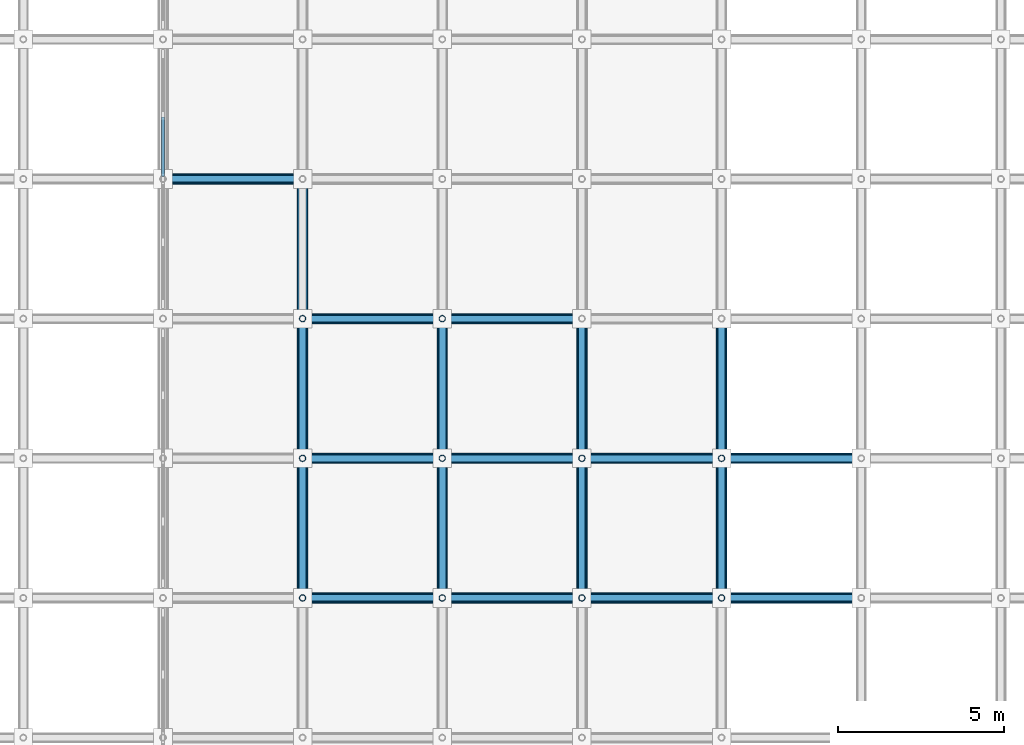
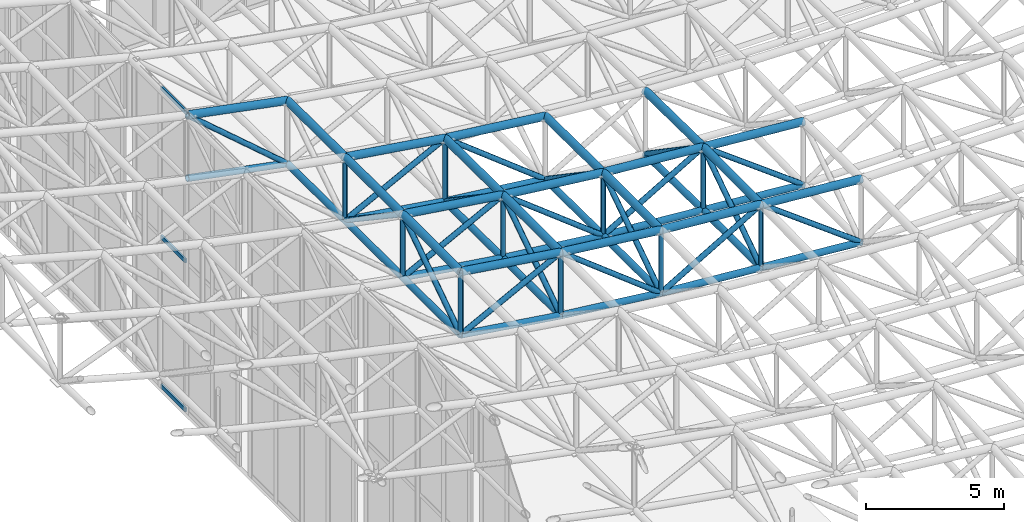
# One storey, part 24 of 93: 72 members, 1 element without a shape of its own.
"""IFC4 building model written with IfcOpenShell, lengths in metres."""

from ifc_helpers import new_model, si_unit, direction, frame, origin, origin_2d, place, context, subcontext, project, spatial, rectangle, hollow_circle, extrude, material, material_profile, profile_set, type_object, element, aggregate, save


model = new_model("IFC4")

# Units and contexts
model_context = context("Model", 3, precision=1e-05, world=origin(), true_north=direction((0.0, 1.0)))
body_context = subcontext(model_context, "Body", "Model", "MODEL_VIEW")
ifc_project = project(units=[si_unit("LENGTHUNIT", "METRE"), si_unit("AREAUNIT", "SQUARE_METRE"), si_unit("VOLUMEUNIT", "CUBIC_METRE"), si_unit("PLANEANGLEUNIT", "RADIAN"), si_unit("MASSUNIT", "GRAM", prefix="KILO")], contexts=[model_context])

# Site, building, storey
site_placement = place(None, origin())
site = spatial("IfcSite", under=ifc_project, at=site_placement, CompositionType="ELEMENT")
building_placement = place(site_placement, origin())
building = spatial("IfcBuilding", under=site, at=building_placement, Name="Cumbredor Promenade Congress Hotel", CompositionType="ELEMENT")
storey_placement = place(building_placement, frame((0.0, 0.0, 21.840087890625)))
storey = spatial("IfcBuildingStorey", under=building, at=storey_placement, Name="L06", CompositionType="ELEMENT", Elevation=21.840087890625)

# Curtain wall, members
ifc_material_1 = material(Name="Thermally broken anodized aluminium and low-E glass", Category="aluminium")
curtain_wall_type = type_object("IfcCurtainWallType", Name="Stepped Pavilion Clerestory Curtain Wall CW-06", PredefinedType="NOTDEFINED", material=ifc_material_1)
curtain_wall_placement = place(storey_placement, origin())
curtain_wall = element("IfcCurtainWall", 1, at=curtain_wall_placement, inside=storey, type_object=curtain_wall_type, Name="Plenary Congress Hall W Glazed Clerestory 10", PredefinedType="NOTDEFINED")
ifc_material_2 = material(Name="Thermally broken anodized aluminium", Category="aluminium")
ifc_material_profile_1 = material_profile(ifc_material_2, rectangle(XDim=0.080078125, YDim=0.179931640625, at=origin_2d()), Name="ALU TRANSOM 80x180")
ifc_profile_set_1 = profile_set([ifc_material_profile_1], Name="Thermally broken anodized aluminium")
member_type_1 = type_object("IfcMemberType", Name="Curtain Wall Transom TR-03", PredefinedType="USERDEFINED", material=ifc_profile_set_1)
member_1_placement = place(storey_placement, frame((8.39990234375, 46.282470703125, 0.079833984375), z_axis=(0.0, 1.0, 0.0), x_axis=(-1.0, 0.0, 0.0)))
member_1 = element("IfcMember", 2, at=member_1_placement, type_object=member_type_1, Name="Plenary Congress Hall W Glazed Clerestory 10 Transom 1.1", ObjectType="TRANSOM", PredefinedType="USERDEFINED", context=body_context, shape_type="SweptSolid", body=[
    extrude(rectangle(XDim=0.080078125, YDim=0.179931640625, at=origin_2d()), origin(), (0.0, 0.0, 1.0), 1.775146484375),
])
member_2_placement = place(storey_placement, frame((8.39990234375, 46.282470703125, 6.68994140625), z_axis=(0.0, 1.0, 0.0), x_axis=(-1.0, 0.0, 0.0)))
member_2 = element("IfcMember", 3, at=member_2_placement, type_object=member_type_1, Name="Plenary Congress Hall W Glazed Clerestory 10 Transom 1.2", ObjectType="TRANSOM", PredefinedType="USERDEFINED", context=body_context, shape_type="SweptSolid", body=[
    extrude(rectangle(XDim=0.080078125, YDim=0.179931640625, at=origin_2d()), origin(), (0.0, 0.0, 1.0), 1.775146484375),
])
member_3_placement = place(storey_placement, frame((8.39990234375, 46.282470703125, 13.289794921875), z_axis=(0.0, 1.0, 0.0), x_axis=(-1.0, 0.0, 0.0)))
member_3 = element("IfcMember", 4, at=member_3_placement, type_object=member_type_1, Name="Plenary Congress Hall W Glazed Clerestory 10 Transom 1.3", ObjectType="TRANSOM", PredefinedType="USERDEFINED", context=body_context, shape_type="SweptSolid", body=[
    extrude(rectangle(XDim=0.080078125, YDim=0.179931640625, at=origin_2d()), origin(), (0.0, 0.0, 1.0), 1.775146484375),
])
aggregate(curtain_wall, [member_1, member_2, member_3])

# Members
ifc_material_3 = material(Name="Steel ASTM A500 Grade C", Category="steel")
ifc_material_profile_2 = material_profile(ifc_material_3, hollow_circle(Radius=0.136474609375, WallThickness=0.01611328125, at=origin_2d()), Name="CHS 273.0x16")
ifc_profile_set_2 = profile_set([ifc_material_profile_2], Name="Steel ASTM A500 Grade C")
member_type_2 = type_object("IfcMemberType", Name="Plenary Roof Space Frame Bottom Chord", PredefinedType="CHORD", material=ifc_profile_set_2)
member_4_placement = place(storey_placement, frame((12.60009765625, 33.60009765625, 9.63134765625), z_axis=(0.989555728314, 0.0, -0.144150825737), x_axis=(0.0, 1.0, 0.0)))
element("IfcMember", 5, at=member_4_placement, inside=storey, type_object=member_type_2, Name="Plenary Congress Hall X Bottom Chord 5.9", PredefinedType="CHORD", context=body_context, shape_type="SweptSolid", body=[
    extrude(hollow_circle(Radius=0.136474609375, WallThickness=0.01611328125, at=origin_2d()), origin(), (0.0, 0.0, 1.0), 4.244384765625),
])
member_5_placement = place(storey_placement, frame((16.800048828125, 33.60009765625, 9.01953125), z_axis=(0.99363687889, 0.0, -0.112631047715), x_axis=(0.0, 1.0, 0.0)))
element("IfcMember", 6, at=member_5_placement, inside=storey, type_object=member_type_2, Name="Plenary Congress Hall X Bottom Chord 6.9", PredefinedType="CHORD", context=body_context, shape_type="SweptSolid", body=[
    extrude(hollow_circle(Radius=0.136474609375, WallThickness=0.01611328125, at=origin_2d()), origin(), (0.0, 0.0, 1.0), 4.226806640625),
])
for number, where, z_axis, x_axis, name in (
    (7, (21.0, 33.60009765625, 8.54345703125), (0.996737619939, 0.0, -0.080710079903), (0.0, 1.0, 0.0), "Plenary Congress Hall X Bottom Chord 7.9"),
    (8, (25.199951171875, 33.60009765625, 8.203369140625), (0.99676088426, 0.0, -0.080422258173), (0.0, 1.0, 0.0), "Plenary Congress Hall X Bottom Chord 8.9"),
):
    element("IfcMember", number, at=place(storey_placement, frame(where, z_axis=z_axis, x_axis=x_axis)), inside=storey, type_object=member_type_2, Name=name, PredefinedType="CHORD", context=body_context, shape_type="SweptSolid", body=[
        extrude(hollow_circle(Radius=0.136474609375, WallThickness=0.01611328125, at=origin_2d()), origin(), (0.0, 0.0, 1.0), 4.213623046875),
    ])
member_6_placement = place(storey_placement, frame((12.60009765625, 37.800048828125, 9.63134765625), z_axis=(0.989555728314, 0.0, -0.144150825737), x_axis=(0.0, 1.0, 0.0)))
element("IfcMember", 9, at=member_6_placement, inside=storey, type_object=member_type_2, Name="Plenary Congress Hall X Bottom Chord 5.10", PredefinedType="CHORD", context=body_context, shape_type="SweptSolid", body=[
    extrude(hollow_circle(Radius=0.136474609375, WallThickness=0.01611328125, at=origin_2d()), origin(), (0.0, 0.0, 1.0), 4.244384765625),
])
member_7_placement = place(storey_placement, frame((16.800048828125, 37.800048828125, 9.01953125), z_axis=(0.99363687889, 0.0, -0.112631047715), x_axis=(0.0, 1.0, 0.0)))
element("IfcMember", 10, at=member_7_placement, inside=storey, type_object=member_type_2, Name="Plenary Congress Hall X Bottom Chord 6.10", PredefinedType="CHORD", context=body_context, shape_type="SweptSolid", body=[
    extrude(hollow_circle(Radius=0.136474609375, WallThickness=0.01611328125, at=origin_2d()), origin(), (0.0, 0.0, 1.0), 4.226806640625),
])
for number, where, z_axis, x_axis, name in (
    (11, (21.0, 37.800048828125, 8.54345703125), (0.996737619939, 0.0, -0.080710079903), (0.0, 1.0, 0.0), "Plenary Congress Hall X Bottom Chord 7.10"),
    (12, (25.199951171875, 37.800048828125, 8.203369140625), (0.99676088426, 0.0, -0.080422258173), (0.0, 1.0, 0.0), "Plenary Congress Hall X Bottom Chord 8.10"),
):
    element("IfcMember", number, at=place(storey_placement, frame(where, z_axis=z_axis, x_axis=x_axis)), inside=storey, type_object=member_type_2, Name=name, PredefinedType="CHORD", context=body_context, shape_type="SweptSolid", body=[
        extrude(hollow_circle(Radius=0.136474609375, WallThickness=0.01611328125, at=origin_2d()), origin(), (0.0, 0.0, 1.0), 4.213623046875),
    ])
member_8_placement = place(storey_placement, frame((12.60009765625, 42.0, 9.61669921875), z_axis=(0.988906395797, 0.0, -0.148540029457), x_axis=(0.0, 1.0, 0.0)))
element("IfcMember", 13, at=member_8_placement, inside=storey, type_object=member_type_2, Name="Plenary Congress Hall X Bottom Chord 5.11", PredefinedType="CHORD", context=body_context, shape_type="SweptSolid", body=[
    extrude(hollow_circle(Radius=0.136474609375, WallThickness=0.01611328125, at=origin_2d()), origin(), (0.0, 0.0, 1.0), 4.2470703125),
])
member_9_placement = place(storey_placement, frame((16.800048828125, 42.0, 8.98583984375), z_axis=(0.99325660269, 0.0, -0.115936712097), x_axis=(0.0, 1.0, 0.0)))
element("IfcMember", 14, at=member_9_placement, inside=storey, type_object=member_type_2, Name="Plenary Congress Hall X Bottom Chord 6.11", PredefinedType="CHORD", context=body_context, shape_type="SweptSolid", body=[
    extrude(hollow_circle(Radius=0.136474609375, WallThickness=0.01611328125, at=origin_2d()), origin(), (0.0, 0.0, 1.0), 4.228515625),
])
member_10_placement = place(storey_placement, frame((8.39990234375, 46.199951171875, 10.40380859375), z_axis=(0.981628453473, 0.0, -0.190802461545), x_axis=(0.0, 1.0, 0.0)))
element("IfcMember", 15, at=member_10_placement, inside=storey, type_object=member_type_2, Name="Plenary Congress Hall X Bottom Chord 4.12", PredefinedType="CHORD", context=body_context, shape_type="SweptSolid", body=[
    extrude(hollow_circle(Radius=0.136474609375, WallThickness=0.01611328125, at=origin_2d()), origin(), (0.0, 0.0, 1.0), 4.27880859375),
])
for number, where, z_axis, x_axis, name in (
    (16, (12.60009765625, 33.60009765625, 9.63134765625), (0.0, 1.0, 0.0), (-1.0, 0.0, 0.0), "Plenary Congress Hall Y Bottom Chord 5.9"),
    (17, (12.60009765625, 37.800048828125, 9.63134765625), (0.0, 0.999993917807, -0.003487742549), (-1.0, 0.0, 0.0), "Plenary Congress Hall Y Bottom Chord 5.10"),
    (18, (12.60009765625, 42.0, 9.61669921875), (0.0, 0.999975671896, -0.006975357823), (-1.0, 0.0, 0.0), "Plenary Congress Hall Y Bottom Chord 5.11"),
    (19, (16.800048828125, 33.60009765625, 9.01953125), (0.0, 1.0, 0.0), (-1.0, 0.0, 0.0), "Plenary Congress Hall Y Bottom Chord 6.9"),
):
    element("IfcMember", number, at=place(storey_placement, frame(where, z_axis=z_axis, x_axis=x_axis)), inside=storey, type_object=member_type_2, Name=name, PredefinedType="CHORD", context=body_context, shape_type="SweptSolid", body=[
        extrude(hollow_circle(Radius=0.136474609375, WallThickness=0.01611328125, at=origin_2d()), origin(), (0.0, 0.0, 1.0), 4.199951171875),
    ])
member_11_placement = place(storey_placement, frame((16.800048828125, 37.800048828125, 9.01953125), z_axis=(0.0, 0.999967826461, -0.008021598561), x_axis=(-1.0, 0.0, 0.0)))
element("IfcMember", 20, at=member_11_placement, inside=storey, type_object=member_type_2, Name="Plenary Congress Hall Y Bottom Chord 6.10", PredefinedType="CHORD", context=body_context, shape_type="SweptSolid", body=[
    extrude(hollow_circle(Radius=0.136474609375, WallThickness=0.01611328125, at=origin_2d()), origin(), (0.0, 0.0, 1.0), 4.2001953125),
])
member_12_placement = place(storey_placement, frame((21.0, 33.60009765625, 8.54345703125), z_axis=(0.0, 1.0, 0.0), x_axis=(-1.0, 0.0, 0.0)))
element("IfcMember", 21, at=member_12_placement, inside=storey, type_object=member_type_2, Name="Plenary Congress Hall Y Bottom Chord 7.9", PredefinedType="CHORD", context=body_context, shape_type="SweptSolid", body=[
    extrude(hollow_circle(Radius=0.136474609375, WallThickness=0.01611328125, at=origin_2d()), origin(), (0.0, 0.0, 1.0), 4.199951171875),
])
member_13_placement = place(storey_placement, frame((21.0, 37.800048828125, 8.54345703125), z_axis=(0.0, 0.999935101974, -0.011392622216), x_axis=(-1.0, 0.0, 0.0)))
element("IfcMember", 22, at=member_13_placement, inside=storey, type_object=member_type_2, Name="Plenary Congress Hall Y Bottom Chord 7.10", PredefinedType="CHORD", context=body_context, shape_type="SweptSolid", body=[
    extrude(hollow_circle(Radius=0.136474609375, WallThickness=0.01611328125, at=origin_2d()), origin(), (0.0, 0.0, 1.0), 4.2001953125),
])
member_14_placement = place(storey_placement, frame((25.199951171875, 33.60009765625, 8.203369140625), z_axis=(0.0, 1.0, 0.0), x_axis=(-1.0, 0.0, 0.0)))
element("IfcMember", 23, at=member_14_placement, inside=storey, type_object=member_type_2, Name="Plenary Congress Hall Y Bottom Chord 8.9", PredefinedType="CHORD", context=body_context, shape_type="SweptSolid", body=[
    extrude(hollow_circle(Radius=0.136474609375, WallThickness=0.01611328125, at=origin_2d()), origin(), (0.0, 0.0, 1.0), 4.199951171875),
])
member_15_placement = place(storey_placement, frame((25.199951171875, 37.800048828125, 8.203369140625), z_axis=(0.0, 0.999903507276, -0.013891585086), x_axis=(-1.0, 0.0, 0.0)))
element("IfcMember", 24, at=member_15_placement, inside=storey, type_object=member_type_2, Name="Plenary Congress Hall Y Bottom Chord 8.10", PredefinedType="CHORD", context=body_context, shape_type="SweptSolid", body=[
    extrude(hollow_circle(Radius=0.136474609375, WallThickness=0.01611328125, at=origin_2d()), origin(), (0.0, 0.0, 1.0), 4.200439453125),
])
ifc_material_profile_3 = material_profile(ifc_material_3, hollow_circle(Radius=0.161865234375, WallThickness=0.01611328125, at=origin_2d()), Name="CHS 323.9x16")
ifc_profile_set_3 = profile_set([ifc_material_profile_3], Name="Steel ASTM A500 Grade C")
member_type_3 = type_object("IfcMemberType", Name="Plenary Roof Space Frame Top Chord", PredefinedType="CHORD", material=ifc_profile_set_3)
member_16_placement = place(storey_placement, frame((12.60009765625, 33.60009765625, 12.431396484375), z_axis=(0.989555728314, 0.0, -0.144150825737), x_axis=(0.0, 1.0, 0.0)))
element("IfcMember", 25, at=member_16_placement, inside=storey, type_object=member_type_3, Name="Plenary Congress Hall X Top Chord 5.9", PredefinedType="CHORD", context=body_context, shape_type="SweptSolid", body=[
    extrude(hollow_circle(Radius=0.161865234375, WallThickness=0.01611328125, at=origin_2d()), origin(), (0.0, 0.0, 1.0), 4.244384765625),
])
member_17_placement = place(storey_placement, frame((16.800048828125, 33.60009765625, 11.819580078125), z_axis=(0.99363687889, 0.0, -0.112631047715), x_axis=(0.0, 1.0, 0.0)))
element("IfcMember", 26, at=member_17_placement, inside=storey, type_object=member_type_3, Name="Plenary Congress Hall X Top Chord 6.9", PredefinedType="CHORD", context=body_context, shape_type="SweptSolid", body=[
    extrude(hollow_circle(Radius=0.161865234375, WallThickness=0.01611328125, at=origin_2d()), origin(), (0.0, 0.0, 1.0), 4.226806640625),
])
for number, where, z_axis, x_axis, name in (
    (27, (21.0, 33.60009765625, 11.343505859375), (0.996737619939, 0.0, -0.080710079903), (0.0, 1.0, 0.0), "Plenary Congress Hall X Top Chord 7.9"),
    (28, (25.199951171875, 33.60009765625, 11.00341796875), (0.99676088426, 0.0, -0.080422258173), (0.0, 1.0, 0.0), "Plenary Congress Hall X Top Chord 8.9"),
):
    element("IfcMember", number, at=place(storey_placement, frame(where, z_axis=z_axis, x_axis=x_axis)), inside=storey, type_object=member_type_3, Name=name, PredefinedType="CHORD", context=body_context, shape_type="SweptSolid", body=[
        extrude(hollow_circle(Radius=0.161865234375, WallThickness=0.01611328125, at=origin_2d()), origin(), (0.0, 0.0, 1.0), 4.213623046875),
    ])
member_18_placement = place(storey_placement, frame((12.60009765625, 37.800048828125, 12.431396484375), z_axis=(0.989555728314, 0.0, -0.144150825737), x_axis=(0.0, 1.0, 0.0)))
element("IfcMember", 29, at=member_18_placement, inside=storey, type_object=member_type_3, Name="Plenary Congress Hall X Top Chord 5.10", PredefinedType="CHORD", context=body_context, shape_type="SweptSolid", body=[
    extrude(hollow_circle(Radius=0.161865234375, WallThickness=0.01611328125, at=origin_2d()), origin(), (0.0, 0.0, 1.0), 4.244384765625),
])
member_19_placement = place(storey_placement, frame((16.800048828125, 37.800048828125, 11.819580078125), z_axis=(0.99363687889, 0.0, -0.112631047715), x_axis=(0.0, 1.0, 0.0)))
element("IfcMember", 30, at=member_19_placement, inside=storey, type_object=member_type_3, Name="Plenary Congress Hall X Top Chord 6.10", PredefinedType="CHORD", context=body_context, shape_type="SweptSolid", body=[
    extrude(hollow_circle(Radius=0.161865234375, WallThickness=0.01611328125, at=origin_2d()), origin(), (0.0, 0.0, 1.0), 4.226806640625),
])
for number, where, z_axis, x_axis, name in (
    (31, (21.0, 37.800048828125, 11.343505859375), (0.996737619939, 0.0, -0.080710079903), (0.0, 1.0, 0.0), "Plenary Congress Hall X Top Chord 7.10"),
    (32, (25.199951171875, 37.800048828125, 11.00341796875), (0.99676088426, 0.0, -0.080422258173), (0.0, 1.0, 0.0), "Plenary Congress Hall X Top Chord 8.10"),
):
    element("IfcMember", number, at=place(storey_placement, frame(where, z_axis=z_axis, x_axis=x_axis)), inside=storey, type_object=member_type_3, Name=name, PredefinedType="CHORD", context=body_context, shape_type="SweptSolid", body=[
        extrude(hollow_circle(Radius=0.161865234375, WallThickness=0.01611328125, at=origin_2d()), origin(), (0.0, 0.0, 1.0), 4.213623046875),
    ])
member_20_placement = place(storey_placement, frame((12.60009765625, 42.0, 12.41650390625), z_axis=(0.9889148383, 0.0, -0.148483812552), x_axis=(0.0, 1.0, 0.0)))
element("IfcMember", 33, at=member_20_placement, inside=storey, type_object=member_type_3, Name="Plenary Congress Hall X Top Chord 5.11", PredefinedType="CHORD", context=body_context, shape_type="SweptSolid", body=[
    extrude(hollow_circle(Radius=0.161865234375, WallThickness=0.01611328125, at=origin_2d()), origin(), (0.0, 0.0, 1.0), 4.2470703125),
])
member_21_placement = place(storey_placement, frame((16.800048828125, 42.0, 11.785888671875), z_axis=(0.993249952356, 0.0, -0.115993672864), x_axis=(0.0, 1.0, 0.0)))
element("IfcMember", 34, at=member_21_placement, inside=storey, type_object=member_type_3, Name="Plenary Congress Hall X Top Chord 6.11", PredefinedType="CHORD", context=body_context, shape_type="SweptSolid", body=[
    extrude(hollow_circle(Radius=0.161865234375, WallThickness=0.01611328125, at=origin_2d()), origin(), (0.0, 0.0, 1.0), 4.228515625),
])
member_22_placement = place(storey_placement, frame((8.39990234375, 46.199951171875, 13.20361328125), z_axis=(0.981628453473, 0.0, -0.190802461545), x_axis=(0.0, 1.0, 0.0)))
element("IfcMember", 35, at=member_22_placement, inside=storey, type_object=member_type_3, Name="Plenary Congress Hall X Top Chord 4.12", PredefinedType="CHORD", context=body_context, shape_type="SweptSolid", body=[
    extrude(hollow_circle(Radius=0.161865234375, WallThickness=0.01611328125, at=origin_2d()), origin(), (0.0, 0.0, 1.0), 4.27880859375),
])
for number, where, z_axis, x_axis, name in (
    (36, (12.60009765625, 33.60009765625, 12.431396484375), (0.0, 1.0, 0.0), (-1.0, 0.0, 0.0), "Plenary Congress Hall Y Top Chord 5.9"),
    (37, (12.60009765625, 37.800048828125, 12.431396484375), (0.0, 0.99999371338, -0.003545870866), (-1.0, 0.0, 0.0), "Plenary Congress Hall Y Top Chord 5.10"),
    (38, (12.60009765625, 42.0, 12.41650390625), (0.0, 0.999975671896, -0.006975357823), (-1.0, 0.0, 0.0), "Plenary Congress Hall Y Top Chord 5.11"),
    (39, (16.800048828125, 33.60009765625, 11.819580078125), (0.0, 1.0, 0.0), (-1.0, 0.0, 0.0), "Plenary Congress Hall Y Top Chord 6.9"),
):
    element("IfcMember", number, at=place(storey_placement, frame(where, z_axis=z_axis, x_axis=x_axis)), inside=storey, type_object=member_type_3, Name=name, PredefinedType="CHORD", context=body_context, shape_type="SweptSolid", body=[
        extrude(hollow_circle(Radius=0.161865234375, WallThickness=0.01611328125, at=origin_2d()), origin(), (0.0, 0.0, 1.0), 4.199951171875),
    ])
member_23_placement = place(storey_placement, frame((16.800048828125, 37.800048828125, 11.819580078125), z_axis=(0.0, 0.999967826461, -0.008021598561), x_axis=(-1.0, 0.0, 0.0)))
element("IfcMember", 40, at=member_23_placement, inside=storey, type_object=member_type_3, Name="Plenary Congress Hall Y Top Chord 6.10", PredefinedType="CHORD", context=body_context, shape_type="SweptSolid", body=[
    extrude(hollow_circle(Radius=0.161865234375, WallThickness=0.01611328125, at=origin_2d()), origin(), (0.0, 0.0, 1.0), 4.2001953125),
])
member_24_placement = place(storey_placement, frame((21.0, 33.60009765625, 11.343505859375), z_axis=(0.0, 1.0, 0.0), x_axis=(-1.0, 0.0, 0.0)))
element("IfcMember", 41, at=member_24_placement, inside=storey, type_object=member_type_3, Name="Plenary Congress Hall Y Top Chord 7.9", PredefinedType="CHORD", context=body_context, shape_type="SweptSolid", body=[
    extrude(hollow_circle(Radius=0.161865234375, WallThickness=0.01611328125, at=origin_2d()), origin(), (0.0, 0.0, 1.0), 4.199951171875),
])
member_25_placement = place(storey_placement, frame((21.0, 37.800048828125, 11.343505859375), z_axis=(0.0, 0.999934438125, -0.011450740238), x_axis=(-1.0, 0.0, 0.0)))
element("IfcMember", 42, at=member_25_placement, inside=storey, type_object=member_type_3, Name="Plenary Congress Hall Y Top Chord 7.10", PredefinedType="CHORD", context=body_context, shape_type="SweptSolid", body=[
    extrude(hollow_circle(Radius=0.161865234375, WallThickness=0.01611328125, at=origin_2d()), origin(), (0.0, 0.0, 1.0), 4.2001953125),
])
member_26_placement = place(storey_placement, frame((25.199951171875, 33.60009765625, 11.00341796875), z_axis=(0.0, 1.0, 0.0), x_axis=(-1.0, 0.0, 0.0)))
element("IfcMember", 43, at=member_26_placement, inside=storey, type_object=member_type_3, Name="Plenary Congress Hall Y Top Chord 8.9", PredefinedType="CHORD", context=body_context, shape_type="SweptSolid", body=[
    extrude(hollow_circle(Radius=0.161865234375, WallThickness=0.01611328125, at=origin_2d()), origin(), (0.0, 0.0, 1.0), 4.199951171875),
])
member_27_placement = place(storey_placement, frame((25.199951171875, 37.800048828125, 11.00341796875), z_axis=(0.0, 0.999903507276, -0.013891585086), x_axis=(-1.0, 0.0, 0.0)))
element("IfcMember", 44, at=member_27_placement, inside=storey, type_object=member_type_3, Name="Plenary Congress Hall Y Top Chord 8.10", PredefinedType="CHORD", context=body_context, shape_type="SweptSolid", body=[
    extrude(hollow_circle(Radius=0.161865234375, WallThickness=0.01611328125, at=origin_2d()), origin(), (0.0, 0.0, 1.0), 4.200439453125),
])
ifc_material_profile_4 = material_profile(ifc_material_3, hollow_circle(Radius=0.109619140625, WallThickness=0.012451171875, at=origin_2d()), Name="CHS 219.1x12.5")
ifc_profile_set_4 = profile_set([ifc_material_profile_4], Name="Steel ASTM A500 Grade C")
member_type_4 = type_object("IfcMemberType", Name="Space Frame Web Diagonal D1", PredefinedType="BRACE", material=ifc_profile_set_4)
member_28_placement = place(storey_placement, frame((12.60009765625, 33.60009765625, 9.63134765625), z_axis=(0.886848513239, 0.0, 0.462060293214), x_axis=(0.0, 1.0, 0.0)))
element("IfcMember", 45, at=member_28_placement, inside=storey, type_object=member_type_4, Name="Plenary Congress Hall X Web Diagonal 5.9", PredefinedType="BRACE", context=body_context, shape_type="SweptSolid", body=[
    extrude(hollow_circle(Radius=0.109619140625, WallThickness=0.012451171875, at=origin_2d()), origin(), (0.0, 0.0, 1.0), 4.73583984375),
])
member_29_placement = place(storey_placement, frame((16.800048828125, 33.60009765625, 11.819580078125), z_axis=(0.788487635623, 0.0, -0.61505060643), x_axis=(0.0, 1.0, 0.0)))
element("IfcMember", 46, at=member_29_placement, inside=storey, type_object=member_type_4, Name="Plenary Congress Hall X Web Diagonal 6.9", PredefinedType="BRACE", context=body_context, shape_type="SweptSolid", body=[
    extrude(hollow_circle(Radius=0.109619140625, WallThickness=0.012451171875, at=origin_2d()), origin(), (0.0, 0.0, 1.0), 5.32666015625),
])
member_30_placement = place(storey_placement, frame((21.0, 33.60009765625, 8.54345703125), z_axis=(0.862884298587, 0.0, 0.505401510932), x_axis=(0.0, 1.0, 0.0)))
element("IfcMember", 47, at=member_30_placement, inside=storey, type_object=member_type_4, Name="Plenary Congress Hall X Web Diagonal 7.9", PredefinedType="BRACE", context=body_context, shape_type="SweptSolid", body=[
    extrude(hollow_circle(Radius=0.109619140625, WallThickness=0.012451171875, at=origin_2d()), origin(), (0.0, 0.0, 1.0), 4.867431640625),
])
member_31_placement = place(storey_placement, frame((25.199951171875, 33.60009765625, 11.00341796875), z_axis=(0.801010195392, 0.0, -0.598650705235), x_axis=(0.0, 1.0, 0.0)))
element("IfcMember", 48, at=member_31_placement, inside=storey, type_object=member_type_4, Name="Plenary Congress Hall X Web Diagonal 8.9", PredefinedType="BRACE", context=body_context, shape_type="SweptSolid", body=[
    extrude(hollow_circle(Radius=0.109619140625, WallThickness=0.012451171875, at=origin_2d()), origin(), (0.0, 0.0, 1.0), 5.243408203125),
])
member_32_placement = place(storey_placement, frame((12.60009765625, 37.800048828125, 9.63134765625), z_axis=(0.886848513239, 0.0, 0.462060293214), x_axis=(0.0, 1.0, 0.0)))
element("IfcMember", 49, at=member_32_placement, inside=storey, type_object=member_type_4, Name="Plenary Congress Hall X Web Diagonal 5.10", PredefinedType="BRACE", context=body_context, shape_type="SweptSolid", body=[
    extrude(hollow_circle(Radius=0.109619140625, WallThickness=0.012451171875, at=origin_2d()), origin(), (0.0, 0.0, 1.0), 4.73583984375),
])
member_33_placement = place(storey_placement, frame((16.800048828125, 37.800048828125, 11.819580078125), z_axis=(0.788487635623, 0.0, -0.61505060643), x_axis=(0.0, 1.0, 0.0)))
element("IfcMember", 50, at=member_33_placement, inside=storey, type_object=member_type_4, Name="Plenary Congress Hall X Web Diagonal 6.10", PredefinedType="BRACE", context=body_context, shape_type="SweptSolid", body=[
    extrude(hollow_circle(Radius=0.109619140625, WallThickness=0.012451171875, at=origin_2d()), origin(), (0.0, 0.0, 1.0), 5.32666015625),
])
member_34_placement = place(storey_placement, frame((21.0, 37.800048828125, 8.54345703125), z_axis=(0.862884298587, 0.0, 0.505401510932), x_axis=(0.0, 1.0, 0.0)))
element("IfcMember", 51, at=member_34_placement, inside=storey, type_object=member_type_4, Name="Plenary Congress Hall X Web Diagonal 7.10", PredefinedType="BRACE", context=body_context, shape_type="SweptSolid", body=[
    extrude(hollow_circle(Radius=0.109619140625, WallThickness=0.012451171875, at=origin_2d()), origin(), (0.0, 0.0, 1.0), 4.867431640625),
])
member_35_placement = place(storey_placement, frame((25.199951171875, 37.800048828125, 11.00341796875), z_axis=(0.801010195392, 0.0, -0.598650705235), x_axis=(0.0, 1.0, 0.0)))
element("IfcMember", 52, at=member_35_placement, inside=storey, type_object=member_type_4, Name="Plenary Congress Hall X Web Diagonal 8.10", PredefinedType="BRACE", context=body_context, shape_type="SweptSolid", body=[
    extrude(hollow_circle(Radius=0.109619140625, WallThickness=0.012451171875, at=origin_2d()), origin(), (0.0, 0.0, 1.0), 5.243408203125),
])
member_36_placement = place(storey_placement, frame((12.60009765625, 42.0, 9.61669921875), z_axis=(0.888493647144, 0.0, 0.458888917914), x_axis=(0.0, 1.0, 0.0)))
element("IfcMember", 53, at=member_36_placement, inside=storey, type_object=member_type_4, Name="Plenary Congress Hall X Web Diagonal 5.11", PredefinedType="BRACE", context=body_context, shape_type="SweptSolid", body=[
    extrude(hollow_circle(Radius=0.109619140625, WallThickness=0.012451171875, at=origin_2d()), origin(), (0.0, 0.0, 1.0), 4.72705078125),
])
member_37_placement = place(storey_placement, frame((16.800048828125, 42.0, 11.785888671875), z_axis=(0.787198804129, 0.0, -0.616699313099), x_axis=(0.0, 1.0, 0.0)))
element("IfcMember", 54, at=member_37_placement, inside=storey, type_object=member_type_4, Name="Plenary Congress Hall X Web Diagonal 6.11", PredefinedType="BRACE", context=body_context, shape_type="SweptSolid", body=[
    extrude(hollow_circle(Radius=0.109619140625, WallThickness=0.012451171875, at=origin_2d()), origin(), (0.0, 0.0, 1.0), 5.335205078125),
])
member_38_placement = place(storey_placement, frame((8.39990234375, 46.199951171875, 13.20361328125), z_axis=(0.757824461384, 0.0, -0.652458493491), x_axis=(0.0, 1.0, 0.0)))
element("IfcMember", 55, at=member_38_placement, inside=storey, type_object=member_type_4, Name="Plenary Congress Hall X Web Diagonal 4.12", PredefinedType="BRACE", context=body_context, shape_type="SweptSolid", body=[
    extrude(hollow_circle(Radius=0.109619140625, WallThickness=0.012451171875, at=origin_2d()), origin(), (0.0, 0.0, 1.0), 5.54248046875),
])
member_39_placement = place(storey_placement, frame((12.60009765625, 33.60009765625, 9.63134765625), z_axis=(0.0, 0.832042853317, 0.554711357594), x_axis=(-1.0, 0.0, 0.0)))
element("IfcMember", 56, at=member_39_placement, inside=storey, type_object=member_type_4, Name="Plenary Congress Hall Y Web Diagonal 5.9", PredefinedType="BRACE", context=body_context, shape_type="SweptSolid", body=[
    extrude(hollow_circle(Radius=0.109619140625, WallThickness=0.012451171875, at=origin_2d()), origin(), (0.0, 0.0, 1.0), 5.0478515625),
])
member_40_placement = place(storey_placement, frame((12.60009765625, 37.800048828125, 12.431396484375), z_axis=(0.0, 0.83070320693, -0.556715530587), x_axis=(-1.0, 0.0, 0.0)))
element("IfcMember", 57, at=member_40_placement, inside=storey, type_object=member_type_4, Name="Plenary Congress Hall Y Web Diagonal 5.10", PredefinedType="BRACE", context=body_context, shape_type="SweptSolid", body=[
    extrude(hollow_circle(Radius=0.109619140625, WallThickness=0.012451171875, at=origin_2d()), origin(), (0.0, 0.0, 1.0), 5.055908203125),
])
member_41_placement = place(storey_placement, frame((16.800048828125, 33.60009765625, 9.01953125), z_axis=(0.0, 0.832042853317, 0.554711357594), x_axis=(-1.0, 0.0, 0.0)))
element("IfcMember", 58, at=member_41_placement, inside=storey, type_object=member_type_4, Name="Plenary Congress Hall Y Web Diagonal 6.9", PredefinedType="BRACE", context=body_context, shape_type="SweptSolid", body=[
    extrude(hollow_circle(Radius=0.109619140625, WallThickness=0.012451171875, at=origin_2d()), origin(), (0.0, 0.0, 1.0), 5.0478515625),
])
member_42_placement = place(storey_placement, frame((16.800048828125, 37.800048828125, 11.819580078125), z_axis=(0.0, 0.828960941987, -0.559306496172), x_axis=(-1.0, 0.0, 0.0)))
element("IfcMember", 59, at=member_42_placement, inside=storey, type_object=member_type_4, Name="Plenary Congress Hall Y Web Diagonal 6.10", PredefinedType="BRACE", context=body_context, shape_type="SweptSolid", body=[
    extrude(hollow_circle(Radius=0.109619140625, WallThickness=0.012451171875, at=origin_2d()), origin(), (0.0, 0.0, 1.0), 5.06640625),
])
member_43_placement = place(storey_placement, frame((21.0, 33.60009765625, 8.54345703125), z_axis=(0.0, 0.832042853317, 0.554711357594), x_axis=(-1.0, 0.0, 0.0)))
element("IfcMember", 60, at=member_43_placement, inside=storey, type_object=member_type_4, Name="Plenary Congress Hall Y Web Diagonal 7.9", PredefinedType="BRACE", context=body_context, shape_type="SweptSolid", body=[
    extrude(hollow_circle(Radius=0.109619140625, WallThickness=0.012451171875, at=origin_2d()), origin(), (0.0, 0.0, 1.0), 5.0478515625),
])
member_44_placement = place(storey_placement, frame((21.0, 37.800048828125, 11.343505859375), z_axis=(0.0, 0.827664938606, -0.561222548907), x_axis=(-1.0, 0.0, 0.0)))
element("IfcMember", 61, at=member_44_placement, inside=storey, type_object=member_type_4, Name="Plenary Congress Hall Y Web Diagonal 7.10", PredefinedType="BRACE", context=body_context, shape_type="SweptSolid", body=[
    extrude(hollow_circle(Radius=0.109619140625, WallThickness=0.012451171875, at=origin_2d()), origin(), (0.0, 0.0, 1.0), 5.074462890625),
])
member_45_placement = place(storey_placement, frame((25.199951171875, 33.60009765625, 8.203369140625), z_axis=(0.0, 0.832042853317, 0.554711357594), x_axis=(-1.0, 0.0, 0.0)))
element("IfcMember", 62, at=member_45_placement, inside=storey, type_object=member_type_4, Name="Plenary Congress Hall Y Web Diagonal 8.9", PredefinedType="BRACE", context=body_context, shape_type="SweptSolid", body=[
    extrude(hollow_circle(Radius=0.109619140625, WallThickness=0.012451171875, at=origin_2d()), origin(), (0.0, 0.0, 1.0), 5.0478515625),
])
member_46_placement = place(storey_placement, frame((25.199951171875, 37.800048828125, 11.00341796875), z_axis=(0.0, 0.826703876917, -0.562637272042), x_axis=(-1.0, 0.0, 0.0)))
element("IfcMember", 63, at=member_46_placement, inside=storey, type_object=member_type_4, Name="Plenary Congress Hall Y Web Diagonal 8.10", PredefinedType="BRACE", context=body_context, shape_type="SweptSolid", body=[
    extrude(hollow_circle(Radius=0.109619140625, WallThickness=0.012451171875, at=origin_2d()), origin(), (0.0, 0.0, 1.0), 5.080322265625),
])
ifc_material_profile_5 = material_profile(ifc_material_3, hollow_circle(Radius=0.096923828125, WallThickness=0.010009765625, at=origin_2d()), Name="CHS 193.7x10")
ifc_profile_set_5 = profile_set([ifc_material_profile_5], Name="Steel ASTM A500 Grade C")
member_type_5 = type_object("IfcMemberType", Name="Space Frame Web Post P1", PredefinedType="BRACE", material=ifc_profile_set_5)
for number, where, z_axis, x_axis, name in (
    (64, (12.60009765625, 33.60009765625, 9.63134765625), (0.0, 0.0, 1.0), (1.0, 0.0, 0.0), "Plenary Congress Hall Space Frame Web Post 5.9"),
    (65, (12.60009765625, 37.800048828125, 9.63134765625), (0.0, 0.0, 1.0), (1.0, 0.0, 0.0), "Plenary Congress Hall Space Frame Web Post 5.10"),
):
    element("IfcMember", number, at=place(storey_placement, frame(where, z_axis=z_axis, x_axis=x_axis)), inside=storey, type_object=member_type_5, Name=name, PredefinedType="BRACE", context=body_context, shape_type="SweptSolid", body=[
        extrude(hollow_circle(Radius=0.096923828125, WallThickness=0.010009765625, at=origin_2d()), origin(), (0.0, 0.0, 1.0), 2.800048828125),
    ])
member_47_placement = place(storey_placement, frame((12.60009765625, 42.0, 9.61669921875), z_axis=(0.0, 0.0, 1.0), x_axis=(1.0, 0.0, 0.0)))
element("IfcMember", 66, at=member_47_placement, inside=storey, type_object=member_type_5, Name="Plenary Congress Hall Space Frame Web Post 5.11", PredefinedType="BRACE", context=body_context, shape_type="SweptSolid", body=[
    extrude(hollow_circle(Radius=0.096923828125, WallThickness=0.010009765625, at=origin_2d()), origin(), (0.0, 0.0, 1.0), 2.7998046875),
])
for number, where, z_axis, x_axis, name in (
    (67, (16.800048828125, 33.60009765625, 9.01953125), (0.0, 0.0, 1.0), (1.0, 0.0, 0.0), "Plenary Congress Hall Space Frame Web Post 6.9"),
    (68, (16.800048828125, 37.800048828125, 9.01953125), (0.0, 0.0, 1.0), (1.0, 0.0, 0.0), "Plenary Congress Hall Space Frame Web Post 6.10"),
    (69, (16.800048828125, 42.0, 8.98583984375), (0.0, 0.0, 1.0), (1.0, 0.0, 0.0), "Plenary Congress Hall Space Frame Web Post 6.11"),
    (70, (21.0, 33.60009765625, 8.54345703125), (0.0, 0.0, 1.0), (1.0, 0.0, 0.0), "Plenary Congress Hall Space Frame Web Post 7.9"),
    (71, (21.0, 37.800048828125, 8.54345703125), (0.0, 0.0, 1.0), (1.0, 0.0, 0.0), "Plenary Congress Hall Space Frame Web Post 7.10"),
    (72, (25.199951171875, 33.60009765625, 8.203369140625), (0.0, 0.0, 1.0), (1.0, 0.0, 0.0), "Plenary Congress Hall Space Frame Web Post 8.9"),
    (73, (25.199951171875, 37.800048828125, 8.203369140625), (0.0, 0.0, 1.0), (1.0, 0.0, 0.0), "Plenary Congress Hall Space Frame Web Post 8.10"),
):
    element("IfcMember", number, at=place(storey_placement, frame(where, z_axis=z_axis, x_axis=x_axis)), inside=storey, type_object=member_type_5, Name=name, PredefinedType="BRACE", context=body_context, shape_type="SweptSolid", body=[
        extrude(hollow_circle(Radius=0.096923828125, WallThickness=0.010009765625, at=origin_2d()), origin(), (0.0, 0.0, 1.0), 2.800048828125),
    ])

save(model, "model.ifc")
